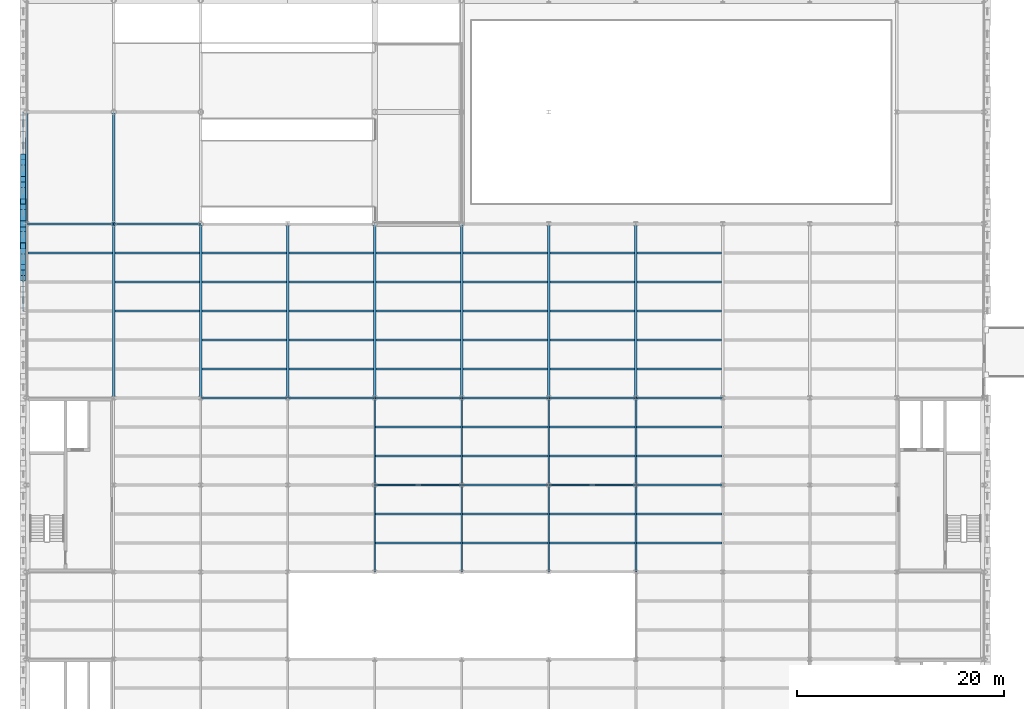
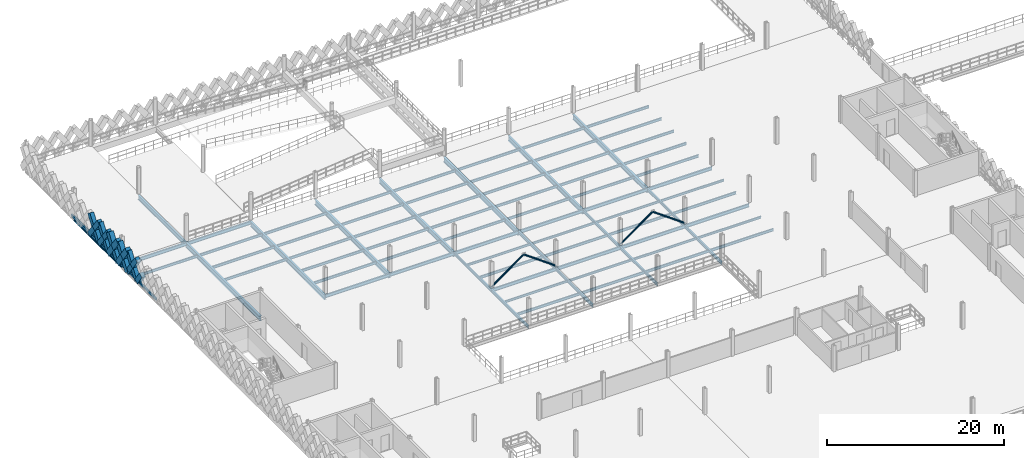
# One storey, part 36 of 101: 79 beams, 22 members.
"""IFC4 building model written with IfcOpenShell, lengths in metres."""

from ifc_helpers import new_model, si_unit, direction, frame, origin, origin_2d, place, context, subcontext, project, spatial, rectangle, hollow_rectangle, hollow_circle, i_section, extrude, material, material_profile, profile_set, type_object, element, save


model = new_model("IFC4")

# Units and contexts
model_context = context("Model", 3, precision=1e-05, world=origin(), true_north=direction((0.0, 1.0)))
body_context = subcontext(model_context, "Body", "Model", "MODEL_VIEW")
ifc_project = project(units=[si_unit("LENGTHUNIT", "METRE"), si_unit("AREAUNIT", "SQUARE_METRE"), si_unit("VOLUMEUNIT", "CUBIC_METRE"), si_unit("PLANEANGLEUNIT", "RADIAN"), si_unit("MASSUNIT", "GRAM", prefix="KILO"), si_unit("THERMODYNAMICTEMPERATUREUNIT", "KELVIN"), si_unit("POWERUNIT", "WATT")], contexts=[model_context])

# Site, building, storey
site_placement = place(None, origin())
site = spatial("IfcSite", under=ifc_project, at=site_placement, CompositionType="ELEMENT")
building_placement = place(site_placement, origin())
building = spatial("IfcBuilding", under=site, at=building_placement, Name="Tembeka Court Mobility Hub", CompositionType="ELEMENT")
storey_placement = place(building_placement, frame((0.0, 0.0, 5.39990234375)))
storey = spatial("IfcBuildingStorey", under=building, at=storey_placement, Name="L01", CompositionType="ELEMENT", Elevation=5.39990234375)

# Beams
ifc_material_1 = material(Name="Steel S355", Category="steel")
ifc_material_profile_1 = material_profile(ifc_material_1, i_section(OverallWidth=0.18994140625, OverallDepth=0.45703125, WebThickness=0.009033203125, FlangeThickness=0.014404296875, FilletRadius=0.01025390625, at=origin_2d()), Name="UKB 457x191x74")
ifc_profile_set_1 = profile_set([ifc_material_profile_1], Name="Steel S355")
beam_type_1 = type_object("IfcBeamType", Name="BM-B01", PredefinedType="BEAM", material=ifc_profile_set_1)
for number, where, z_axis, x_axis, name in (
    (1, (33.60009765625, 72.0, -0.448486328125), (1.0, 0.0, 0.0), (0.0, 1.0, 0.0), "Beam B01 (BM-L01-X0708)"),
    (2, (42.0, 72.0, -0.448486328125), (1.0, 0.0, 0.0), (0.0, 1.0, 0.0), "Beam B01 (BM-L01-X0709)"),
):
    element("IfcBeam", number, at=place(storey_placement, frame(where, z_axis=z_axis, x_axis=x_axis)), inside=storey, type_object=beam_type_1, Name=name, PredefinedType="BEAM", context=body_context, shape_type="SweptSolid", body=[
        extrude(i_section(OverallWidth=0.18994140625, OverallDepth=0.45703125, WebThickness=0.009033203125, FlangeThickness=0.014404296875, FilletRadius=0.01025390625, at=origin_2d()), origin(), (0.0, 0.0, 1.0), 8.39990234375),
    ])
beam_1_placement = place(storey_placement, frame((50.39990234375, 72.0, -0.448486328125), z_axis=(1.0, 0.0, 0.0), x_axis=(0.0, 1.0, 0.0)))
element("IfcBeam", 3, at=beam_1_placement, inside=storey, type_object=beam_type_1, Name="Beam B01 (BM-L01-X0710)", PredefinedType="BEAM", context=body_context, shape_type="SweptSolid", body=[
    extrude(i_section(OverallWidth=0.18994140625, OverallDepth=0.45703125, WebThickness=0.009033203125, FlangeThickness=0.014404296875, FilletRadius=0.01025390625, at=origin_2d()), origin(), (0.0, 0.0, 1.0), 8.400146484375),
])
for number, where, z_axis, x_axis, name in (
    (4, (58.800048828125, 72.0, -0.448486328125), (1.0, 0.0, 0.0), (0.0, 1.0, 0.0), "Beam B01 (BM-L01-X0711)"),
    (5, (16.800048828125, 80.39990234375, -0.448486328125), (1.0, 0.0, 0.0), (0.0, 1.0, 0.0), "Beam B01 (BM-L01-X0718)"),
):
    element("IfcBeam", number, at=place(storey_placement, frame(where, z_axis=z_axis, x_axis=x_axis)), inside=storey, type_object=beam_type_1, Name=name, PredefinedType="BEAM", context=body_context, shape_type="SweptSolid", body=[
        extrude(i_section(OverallWidth=0.18994140625, OverallDepth=0.45703125, WebThickness=0.009033203125, FlangeThickness=0.014404296875, FilletRadius=0.01025390625, at=origin_2d()), origin(), (0.0, 0.0, 1.0), 8.39990234375),
    ])
beam_2_placement = place(storey_placement, frame((25.199951171875, 80.39990234375, -0.448486328125), z_axis=(1.0, 0.0, 0.0), x_axis=(0.0, 1.0, 0.0)))
element("IfcBeam", 6, at=beam_2_placement, inside=storey, type_object=beam_type_1, Name="Beam B01 (BM-L01-X0719)", PredefinedType="BEAM", context=body_context, shape_type="SweptSolid", body=[
    extrude(i_section(OverallWidth=0.18994140625, OverallDepth=0.45703125, WebThickness=0.009033203125, FlangeThickness=0.014404296875, FilletRadius=0.01025390625, at=origin_2d()), origin(), (0.0, 0.0, 1.0), 8.400146484375),
])
for number, where, z_axis, x_axis, name in (
    (7, (33.60009765625, 80.39990234375, -0.448486328125), (1.0, 0.0, 0.0), (0.0, 1.0, 0.0), "Beam B01 (BM-L01-X0720)"),
    (8, (42.0, 80.39990234375, -0.448486328125), (1.0, 0.0, 0.0), (0.0, 1.0, 0.0), "Beam B01 (BM-L01-X0721)"),
):
    element("IfcBeam", number, at=place(storey_placement, frame(where, z_axis=z_axis, x_axis=x_axis)), inside=storey, type_object=beam_type_1, Name=name, PredefinedType="BEAM", context=body_context, shape_type="SweptSolid", body=[
        extrude(i_section(OverallWidth=0.18994140625, OverallDepth=0.45703125, WebThickness=0.009033203125, FlangeThickness=0.014404296875, FilletRadius=0.01025390625, at=origin_2d()), origin(), (0.0, 0.0, 1.0), 8.39990234375),
    ])
beam_3_placement = place(storey_placement, frame((50.39990234375, 80.39990234375, -0.448486328125), z_axis=(1.0, 0.0, 0.0), x_axis=(0.0, 1.0, 0.0)))
element("IfcBeam", 9, at=beam_3_placement, inside=storey, type_object=beam_type_1, Name="Beam B01 (BM-L01-X0722)", PredefinedType="BEAM", context=body_context, shape_type="SweptSolid", body=[
    extrude(i_section(OverallWidth=0.18994140625, OverallDepth=0.45703125, WebThickness=0.009033203125, FlangeThickness=0.014404296875, FilletRadius=0.01025390625, at=origin_2d()), origin(), (0.0, 0.0, 1.0), 8.400146484375),
])
for number, where, z_axis, x_axis, name in (
    (10, (58.800048828125, 80.39990234375, -0.448486328125), (1.0, 0.0, 0.0), (0.0, 1.0, 0.0), "Beam B01 (BM-L01-X0723)"),
    (11, (0.0, 97.199951171875, -0.478515625), (1.0, 0.0, 0.0), (0.0, 1.0, 0.0), "Beam B01 (BM-L01-X0735)"),
):
    element("IfcBeam", number, at=place(storey_placement, frame(where, z_axis=z_axis, x_axis=x_axis)), inside=storey, type_object=beam_type_1, Name=name, PredefinedType="BEAM", context=body_context, shape_type="SweptSolid", body=[
        extrude(i_section(OverallWidth=0.18994140625, OverallDepth=0.45703125, WebThickness=0.009033203125, FlangeThickness=0.014404296875, FilletRadius=0.01025390625, at=origin_2d()), origin(), (0.0, 0.0, 1.0), 8.39990234375),
    ])
beam_4_placement = place(storey_placement, frame((8.39990234375, 97.199951171875, -0.478515625), z_axis=(1.0, 0.0, 0.0), x_axis=(0.0, 1.0, 0.0)))
element("IfcBeam", 12, at=beam_4_placement, inside=storey, type_object=beam_type_1, Name="Beam B01 (BM-L01-X0736)", PredefinedType="BEAM", context=body_context, shape_type="SweptSolid", body=[
    extrude(i_section(OverallWidth=0.18994140625, OverallDepth=0.45703125, WebThickness=0.009033203125, FlangeThickness=0.014404296875, FilletRadius=0.01025390625, at=origin_2d()), origin(), (0.0, 0.0, 1.0), 8.400146484375),
])
ifc_material_profile_2 = material_profile(ifc_material_1, i_section(OverallWidth=0.177978515625, OverallDepth=0.406005859375, WebThickness=0.0078125, FlangeThickness=0.0126953125, FilletRadius=0.01025390625, at=origin_2d()), Name="UKB 406x178x60")
ifc_profile_set_2 = profile_set([ifc_material_profile_2], Name="Steel S355")
beam_type_2 = type_object("IfcBeamType", Name="BM-B02", PredefinedType="BEAM", material=ifc_profile_set_2)
for number, where, z_axis, x_axis, name in (
    (13, (33.60009765625, 63.60009765625, -0.4228515625), (0.0, 1.0, 0.0), (-1.0, 0.0, 0.0), "Beam B02 (BM-L01-Y0804)"),
    (14, (33.60009765625, 72.0, -0.4228515625), (0.0, 1.0, 0.0), (-1.0, 0.0, 0.0), "Beam B02 (BM-L01-Y0805)"),
    (15, (42.0, 63.60009765625, -0.4228515625), (0.0, 1.0, 0.0), (-1.0, 0.0, 0.0), "Beam B02 (BM-L01-Y0812)"),
    (16, (42.0, 72.0, -0.4228515625), (0.0, 1.0, 0.0), (-1.0, 0.0, 0.0), "Beam B02 (BM-L01-Y0813)"),
    (17, (50.39990234375, 63.60009765625, -0.4228515625), (0.0, 1.0, 0.0), (-1.0, 0.0, 0.0), "Beam B02 (BM-L01-Y0820)"),
    (18, (50.39990234375, 72.0, -0.4228515625), (0.0, 1.0, 0.0), (-1.0, 0.0, 0.0), "Beam B02 (BM-L01-Y0821)"),
    (19, (58.800048828125, 63.60009765625, -0.4228515625), (0.0, 1.0, 0.0), (-1.0, 0.0, 0.0), "Beam B02 (BM-L01-Y0827)"),
    (20, (58.800048828125, 72.0, -0.4228515625), (0.0, 1.0, 0.0), (-1.0, 0.0, 0.0), "Beam B02 (BM-L01-Y0828)"),
):
    element("IfcBeam", number, at=place(storey_placement, frame(where, z_axis=z_axis, x_axis=x_axis)), inside=storey, type_object=beam_type_2, Name=name, PredefinedType="BEAM", context=body_context, shape_type="SweptSolid", body=[
        extrude(i_section(OverallWidth=0.177978515625, OverallDepth=0.406005859375, WebThickness=0.0078125, FlangeThickness=0.0126953125, FilletRadius=0.01025390625, at=origin_2d()), origin(), (0.0, 0.0, 1.0), 8.39990234375),
    ])
ifc_material_profile_3 = material_profile(ifc_material_1, i_section(OverallWidth=0.25390625, OverallDepth=0.68408203125, WebThickness=0.012451171875, FlangeThickness=0.01904296875, FilletRadius=0.01513671875, at=origin_2d()), Name="UKB 686x254x140")
ifc_profile_set_3 = profile_set([ifc_material_profile_3], Name="Steel S355")
beam_type_3 = type_object("IfcBeamType", Name="BM-G01", PredefinedType="USERDEFINED", material=ifc_profile_set_3)
for number, where, z_axis, x_axis, name in (
    (21, (8.39990234375, 80.39990234375, -0.591796875), (0.0, 1.0, 0.0), (-1.0, 0.0, 0.0), "Beam G01 (BM-L01-Y0780)"),
    (22, (16.800048828125, 80.39990234375, -0.591796875), (0.0, 1.0, 0.0), (-1.0, 0.0, 0.0), "Beam G01 (BM-L01-Y0791)"),
    (23, (25.199951171875, 80.39990234375, -0.56201171875), (0.0, 1.0, 0.0), (-1.0, 0.0, 0.0), "Beam G01 (BM-L01-Y0800)"),
    (24, (33.60009765625, 80.39990234375, -0.56201171875), (0.0, 1.0, 0.0), (-1.0, 0.0, 0.0), "Beam G01 (BM-L01-Y0806)"),
    (25, (42.0, 80.39990234375, -0.56201171875), (0.0, 1.0, 0.0), (-1.0, 0.0, 0.0), "Beam G01 (BM-L01-Y0814)"),
    (26, (50.39990234375, 80.39990234375, -0.56201171875), (0.0, 1.0, 0.0), (-1.0, 0.0, 0.0), "Beam G01 (BM-L01-Y0822)"),
    (27, (58.800048828125, 80.39990234375, -0.56201171875), (0.0, 1.0, 0.0), (-1.0, 0.0, 0.0), "Beam G01 (BM-L01-Y0829)"),
):
    element("IfcBeam", number, at=place(storey_placement, frame(where, z_axis=z_axis, x_axis=x_axis)), inside=storey, type_object=beam_type_3, Name=name, ObjectType="GIRDER", PredefinedType="USERDEFINED", context=body_context, shape_type="SweptSolid", body=[
        extrude(i_section(OverallWidth=0.25390625, OverallDepth=0.68408203125, WebThickness=0.012451171875, FlangeThickness=0.01904296875, FilletRadius=0.01513671875, at=origin_2d()), origin(), (0.0, 0.0, 1.0), 16.800048828125),
    ])
ifc_material_profile_4 = material_profile(ifc_material_1, i_section(OverallWidth=0.22900390625, OverallDepth=0.612060546875, WebThickness=0.011962890625, FlangeThickness=0.01953125, FilletRadius=0.0126953125, at=origin_2d()), Name="UKB 610x229x125")
ifc_profile_set_4 = profile_set([ifc_material_profile_4], Name="Steel S355")
beam_type_4 = type_object("IfcBeamType", Name="BM-G02", PredefinedType="USERDEFINED", material=ifc_profile_set_4)
for number, where, z_axis, x_axis, name in (
    (28, (0.0, 97.199951171875, -0.52587890625), (0.0, 1.0, 0.0), (-1.0, 0.0, 0.0), "Beam G02 (BM-L01-Y0770)"),
    (29, (8.39990234375, 97.199951171875, -0.555908203125), (0.0, 1.0, 0.0), (-1.0, 0.0, 0.0), "Beam G02 (BM-L01-Y0781)"),
):
    element("IfcBeam", number, at=place(storey_placement, frame(where, z_axis=z_axis, x_axis=x_axis)), inside=storey, type_object=beam_type_4, Name=name, ObjectType="GIRDER", PredefinedType="USERDEFINED", context=body_context, shape_type="SweptSolid", body=[
        extrude(i_section(OverallWidth=0.22900390625, OverallDepth=0.612060546875, WebThickness=0.011962890625, FlangeThickness=0.01953125, FilletRadius=0.0126953125, at=origin_2d()), origin(), (0.0, 0.0, 1.0), 10.800048828125),
    ])
ifc_material_profile_5 = material_profile(ifc_material_1, i_section(OverallWidth=0.172119140625, OverallDepth=0.35498046875, WebThickness=0.00732421875, FlangeThickness=0.011474609375, FilletRadius=0.01025390625, at=origin_2d()), Name="UKB 356x171x51")
ifc_profile_set_5 = profile_set([ifc_material_profile_5], Name="Steel S355")
beam_type_5 = type_object("IfcBeamType", Name="BM-J01", PredefinedType="JOIST", material=ifc_profile_set_5)
for number, where, z_axis, x_axis, name in (
    (30, (0.1220703125, 94.39990234375, -0.3974609375), (1.0, 0.0, 0.0), (0.0, 1.0, 0.0), "Beam J01 (JST-L01-0922)"),
    (31, (8.52197265625, 88.800048828125, -0.3974609375), (1.0, 0.0, 0.0), (0.0, 1.0, 0.0), "Beam J01 (JST-L01-0940)"),
    (32, (8.52197265625, 91.60009765625, -0.3974609375), (1.0, 0.0, 0.0), (0.0, 1.0, 0.0), "Beam J01 (JST-L01-0941)"),
    (33, (8.52197265625, 94.39990234375, -0.3974609375), (1.0, 0.0, 0.0), (0.0, 1.0, 0.0), "Beam J01 (JST-L01-0942)"),
):
    element("IfcBeam", number, at=place(storey_placement, frame(where, z_axis=z_axis, x_axis=x_axis)), inside=storey, type_object=beam_type_5, Name=name, PredefinedType="JOIST", context=body_context, shape_type="SweptSolid", body=[
        extrude(i_section(OverallWidth=0.172119140625, OverallDepth=0.35498046875, WebThickness=0.00732421875, FlangeThickness=0.011474609375, FilletRadius=0.01025390625, at=origin_2d()), origin(), (0.0, 0.0, 1.0), 8.156005859375),
    ])
for number, where, z_axis, x_axis, name in (
    (34, (16.922119140625, 83.199951171875, -0.3974609375), (1.0, 0.0, 0.0), (0.0, 1.0, 0.0), "Beam J01 (JST-L01-0958)"),
    (35, (16.922119140625, 86.0, -0.3974609375), (1.0, 0.0, 0.0), (0.0, 1.0, 0.0), "Beam J01 (JST-L01-0959)"),
    (36, (16.922119140625, 88.800048828125, -0.3974609375), (1.0, 0.0, 0.0), (0.0, 1.0, 0.0), "Beam J01 (JST-L01-0960)"),
    (37, (16.922119140625, 91.60009765625, -0.3974609375), (1.0, 0.0, 0.0), (0.0, 1.0, 0.0), "Beam J01 (JST-L01-0961)"),
    (38, (16.922119140625, 94.39990234375, -0.3974609375), (1.0, 0.0, 0.0), (0.0, 1.0, 0.0), "Beam J01 (JST-L01-0962)"),
):
    element("IfcBeam", number, at=place(storey_placement, frame(where, z_axis=z_axis, x_axis=x_axis)), inside=storey, type_object=beam_type_5, Name=name, PredefinedType="JOIST", context=body_context, shape_type="SweptSolid", body=[
        extrude(i_section(OverallWidth=0.172119140625, OverallDepth=0.35498046875, WebThickness=0.00732421875, FlangeThickness=0.011474609375, FilletRadius=0.01025390625, at=origin_2d()), origin(), (0.0, 0.0, 1.0), 8.15576171875),
    ])
for number, where, z_axis, x_axis, name in (
    (39, (25.322021484375, 83.199951171875, -0.3974609375), (1.0, 0.0, 0.0), (0.0, 1.0, 0.0), "Beam J01 (JST-L01-0976)"),
    (40, (25.322021484375, 86.0, -0.3974609375), (1.0, 0.0, 0.0), (0.0, 1.0, 0.0), "Beam J01 (JST-L01-0977)"),
    (41, (25.322021484375, 88.800048828125, -0.3974609375), (1.0, 0.0, 0.0), (0.0, 1.0, 0.0), "Beam J01 (JST-L01-0978)"),
    (42, (25.322021484375, 91.60009765625, -0.3974609375), (1.0, 0.0, 0.0), (0.0, 1.0, 0.0), "Beam J01 (JST-L01-0979)"),
    (43, (25.322021484375, 94.39990234375, -0.3974609375), (1.0, 0.0, 0.0), (0.0, 1.0, 0.0), "Beam J01 (JST-L01-0980)"),
    (44, (33.721923828125, 83.199951171875, -0.3974609375), (1.0, 0.0, 0.0), (0.0, 1.0, 0.0), "Beam J01 (JST-L01-0994)"),
    (45, (33.721923828125, 86.0, -0.3974609375), (1.0, 0.0, 0.0), (0.0, 1.0, 0.0), "Beam J01 (JST-L01-0995)"),
    (46, (33.721923828125, 88.800048828125, -0.3974609375), (1.0, 0.0, 0.0), (0.0, 1.0, 0.0), "Beam J01 (JST-L01-0996)"),
    (47, (33.721923828125, 91.60009765625, -0.3974609375), (1.0, 0.0, 0.0), (0.0, 1.0, 0.0), "Beam J01 (JST-L01-0997)"),
    (48, (33.721923828125, 94.39990234375, -0.3974609375), (1.0, 0.0, 0.0), (0.0, 1.0, 0.0), "Beam J01 (JST-L01-0998)"),
    (49, (42.1220703125, 83.199951171875, -0.3974609375), (1.0, 0.0, 0.0), (0.0, 1.0, 0.0), "Beam J01 (JST-L01-1012)"),
    (50, (42.1220703125, 86.0, -0.3974609375), (1.0, 0.0, 0.0), (0.0, 1.0, 0.0), "Beam J01 (JST-L01-1013)"),
    (51, (42.1220703125, 88.800048828125, -0.3974609375), (1.0, 0.0, 0.0), (0.0, 1.0, 0.0), "Beam J01 (JST-L01-1014)"),
    (52, (42.1220703125, 91.60009765625, -0.3974609375), (1.0, 0.0, 0.0), (0.0, 1.0, 0.0), "Beam J01 (JST-L01-1015)"),
    (53, (42.1220703125, 94.39990234375, -0.3974609375), (1.0, 0.0, 0.0), (0.0, 1.0, 0.0), "Beam J01 (JST-L01-1016)"),
    (54, (50.52197265625, 83.199951171875, -0.3974609375), (1.0, 0.0, 0.0), (0.0, 1.0, 0.0), "Beam J01 (JST-L01-1030)"),
    (55, (50.52197265625, 86.0, -0.3974609375), (1.0, 0.0, 0.0), (0.0, 1.0, 0.0), "Beam J01 (JST-L01-1031)"),
    (56, (50.52197265625, 88.800048828125, -0.3974609375), (1.0, 0.0, 0.0), (0.0, 1.0, 0.0), "Beam J01 (JST-L01-1032)"),
    (57, (50.52197265625, 91.60009765625, -0.3974609375), (1.0, 0.0, 0.0), (0.0, 1.0, 0.0), "Beam J01 (JST-L01-1033)"),
    (58, (50.52197265625, 94.39990234375, -0.3974609375), (1.0, 0.0, 0.0), (0.0, 1.0, 0.0), "Beam J01 (JST-L01-1034)"),
):
    element("IfcBeam", number, at=place(storey_placement, frame(where, z_axis=z_axis, x_axis=x_axis)), inside=storey, type_object=beam_type_5, Name=name, PredefinedType="JOIST", context=body_context, shape_type="SweptSolid", body=[
        extrude(i_section(OverallWidth=0.172119140625, OverallDepth=0.35498046875, WebThickness=0.00732421875, FlangeThickness=0.011474609375, FilletRadius=0.01025390625, at=origin_2d()), origin(), (0.0, 0.0, 1.0), 8.156005859375),
    ])
for number, where, z_axis, x_axis, name in (
    (59, (58.922119140625, 83.199951171875, -0.3974609375), (1.0, 0.0, 0.0), (0.0, 1.0, 0.0), "Beam J01 (JST-L01-1050)"),
    (60, (58.922119140625, 86.0, -0.3974609375), (1.0, 0.0, 0.0), (0.0, 1.0, 0.0), "Beam J01 (JST-L01-1051)"),
    (61, (58.922119140625, 88.800048828125, -0.3974609375), (1.0, 0.0, 0.0), (0.0, 1.0, 0.0), "Beam J01 (JST-L01-1052)"),
    (62, (58.922119140625, 91.60009765625, -0.3974609375), (1.0, 0.0, 0.0), (0.0, 1.0, 0.0), "Beam J01 (JST-L01-1053)"),
    (63, (58.922119140625, 94.39990234375, -0.3974609375), (1.0, 0.0, 0.0), (0.0, 1.0, 0.0), "Beam J01 (JST-L01-1054)"),
):
    element("IfcBeam", number, at=place(storey_placement, frame(where, z_axis=z_axis, x_axis=x_axis)), inside=storey, type_object=beam_type_5, Name=name, PredefinedType="JOIST", context=body_context, shape_type="SweptSolid", body=[
        extrude(i_section(OverallWidth=0.172119140625, OverallDepth=0.35498046875, WebThickness=0.00732421875, FlangeThickness=0.011474609375, FilletRadius=0.01025390625, at=origin_2d()), origin(), (0.0, 0.0, 1.0), 8.15576171875),
    ])
ifc_material_profile_6 = material_profile(ifc_material_1, i_section(OverallWidth=0.1650390625, OverallDepth=0.303955078125, WebThickness=0.006103515625, FlangeThickness=0.01025390625, FilletRadius=0.0087890625, at=origin_2d()), Name="UKB 305x165x40")
ifc_profile_set_6 = profile_set([ifc_material_profile_6], Name="Steel S355")
beam_type_6 = type_object("IfcBeamType", Name="BM-J02", PredefinedType="JOIST", material=ifc_profile_set_6)
for number, where, z_axis, x_axis, name in (
    (64, (33.68408203125, 69.199951171875, -0.371826171875), (1.0, 0.0, 0.0), (0.0, 1.0, 0.0), "Beam J02 (JST-L01-0991)"),
    (65, (33.68408203125, 77.60009765625, -0.371826171875), (1.0, 0.0, 0.0), (0.0, 1.0, 0.0), "Beam J02 (JST-L01-0993)"),
    (66, (42.083984375, 69.199951171875, -0.371826171875), (1.0, 0.0, 0.0), (0.0, 1.0, 0.0), "Beam J02 (JST-L01-1009)"),
    (67, (42.083984375, 77.60009765625, -0.371826171875), (1.0, 0.0, 0.0), (0.0, 1.0, 0.0), "Beam J02 (JST-L01-1011)"),
):
    element("IfcBeam", number, at=place(storey_placement, frame(where, z_axis=z_axis, x_axis=x_axis)), inside=storey, type_object=beam_type_6, Name=name, PredefinedType="JOIST", context=body_context, shape_type="SweptSolid", body=[
        extrude(i_section(OverallWidth=0.1650390625, OverallDepth=0.303955078125, WebThickness=0.006103515625, FlangeThickness=0.01025390625, FilletRadius=0.0087890625, at=origin_2d()), origin(), (0.0, 0.0, 1.0), 8.23193359375),
    ])
for number, where, z_axis, x_axis, name in (
    (68, (50.48388671875, 69.199951171875, -0.371826171875), (1.0, 0.0, 0.0), (0.0, 1.0, 0.0), "Beam J02 (JST-L01-1027)"),
    (69, (50.48388671875, 77.60009765625, -0.371826171875), (1.0, 0.0, 0.0), (0.0, 1.0, 0.0), "Beam J02 (JST-L01-1029)"),
):
    element("IfcBeam", number, at=place(storey_placement, frame(where, z_axis=z_axis, x_axis=x_axis)), inside=storey, type_object=beam_type_6, Name=name, PredefinedType="JOIST", context=body_context, shape_type="SweptSolid", body=[
        extrude(i_section(OverallWidth=0.1650390625, OverallDepth=0.303955078125, WebThickness=0.006103515625, FlangeThickness=0.01025390625, FilletRadius=0.0087890625, at=origin_2d()), origin(), (0.0, 0.0, 1.0), 8.232177734375),
    ])
for number, where, z_axis, x_axis, name in (
    (70, (58.884033203125, 69.199951171875, -0.371826171875), (1.0, 0.0, 0.0), (0.0, 1.0, 0.0), "Beam J02 (JST-L01-1047)"),
    (71, (58.884033203125, 77.60009765625, -0.371826171875), (1.0, 0.0, 0.0), (0.0, 1.0, 0.0), "Beam J02 (JST-L01-1049)"),
):
    element("IfcBeam", number, at=place(storey_placement, frame(where, z_axis=z_axis, x_axis=x_axis)), inside=storey, type_object=beam_type_6, Name=name, PredefinedType="JOIST", context=body_context, shape_type="SweptSolid", body=[
        extrude(i_section(OverallWidth=0.1650390625, OverallDepth=0.303955078125, WebThickness=0.006103515625, FlangeThickness=0.01025390625, FilletRadius=0.0087890625, at=origin_2d()), origin(), (0.0, 0.0, 1.0), 8.23193359375),
    ])
ifc_material_profile_7 = material_profile(ifc_material_1, i_section(OverallWidth=0.169921875, OverallDepth=0.360107421875, WebThickness=0.008056640625, FlangeThickness=0.0126953125, FilletRadius=0.01806640625, at=origin_2d()), Name="IPE 360")
ifc_profile_set_7 = profile_set([ifc_material_profile_7], Name="Steel S355")
beam_type_7 = type_object("IfcBeamType", Name="BM-J03", PredefinedType="JOIST", material=ifc_profile_set_7)
for number, where, z_axis, x_axis, name in (
    (72, (33.68408203125, 66.39990234375, -0.39990234375), (1.0, 0.0, 0.0), (0.0, 1.0, 0.0), "Beam J03 (JST-L01-0990)"),
    (73, (33.68408203125, 74.800048828125, -0.39990234375), (1.0, 0.0, 0.0), (0.0, 1.0, 0.0), "Beam J03 (JST-L01-0992)"),
    (74, (42.083984375, 66.39990234375, -0.39990234375), (1.0, 0.0, 0.0), (0.0, 1.0, 0.0), "Beam J03 (JST-L01-1008)"),
    (75, (42.083984375, 74.800048828125, -0.39990234375), (1.0, 0.0, 0.0), (0.0, 1.0, 0.0), "Beam J03 (JST-L01-1010)"),
):
    element("IfcBeam", number, at=place(storey_placement, frame(where, z_axis=z_axis, x_axis=x_axis)), inside=storey, type_object=beam_type_7, Name=name, PredefinedType="JOIST", context=body_context, shape_type="SweptSolid", body=[
        extrude(i_section(OverallWidth=0.169921875, OverallDepth=0.360107421875, WebThickness=0.008056640625, FlangeThickness=0.0126953125, FilletRadius=0.01806640625, at=origin_2d()), origin(), (0.0, 0.0, 1.0), 8.23193359375),
    ])
for number, where, z_axis, x_axis, name in (
    (76, (50.48388671875, 66.39990234375, -0.39990234375), (1.0, 0.0, 0.0), (0.0, 1.0, 0.0), "Beam J03 (JST-L01-1026)"),
    (77, (50.48388671875, 74.800048828125, -0.39990234375), (1.0, 0.0, 0.0), (0.0, 1.0, 0.0), "Beam J03 (JST-L01-1028)"),
):
    element("IfcBeam", number, at=place(storey_placement, frame(where, z_axis=z_axis, x_axis=x_axis)), inside=storey, type_object=beam_type_7, Name=name, PredefinedType="JOIST", context=body_context, shape_type="SweptSolid", body=[
        extrude(i_section(OverallWidth=0.169921875, OverallDepth=0.360107421875, WebThickness=0.008056640625, FlangeThickness=0.0126953125, FilletRadius=0.01806640625, at=origin_2d()), origin(), (0.0, 0.0, 1.0), 8.232177734375),
    ])
for number, where, z_axis, x_axis, name in (
    (78, (58.884033203125, 66.39990234375, -0.39990234375), (1.0, 0.0, 0.0), (0.0, 1.0, 0.0), "Beam J03 (JST-L01-1046)"),
    (79, (58.884033203125, 74.800048828125, -0.39990234375), (1.0, 0.0, 0.0), (0.0, 1.0, 0.0), "Beam J03 (JST-L01-1048)"),
):
    element("IfcBeam", number, at=place(storey_placement, frame(where, z_axis=z_axis, x_axis=x_axis)), inside=storey, type_object=beam_type_7, Name=name, PredefinedType="JOIST", context=body_context, shape_type="SweptSolid", body=[
        extrude(i_section(OverallWidth=0.169921875, OverallDepth=0.360107421875, WebThickness=0.008056640625, FlangeThickness=0.0126953125, FilletRadius=0.01806640625, at=origin_2d()), origin(), (0.0, 0.0, 1.0), 8.23193359375),
    ])

# Members
ifc_material_profile_8 = material_profile(ifc_material_1, hollow_circle(Radius=0.109619140625, WallThickness=0.010009765625, at=origin_2d()), Name="CHS 219.1x10")
ifc_profile_set_8 = profile_set([ifc_material_profile_8], Name="Steel S355")
member_type_1 = type_object("IfcMemberType", Name="MEM-BR01", PredefinedType="BRACE", material=ifc_profile_set_8)
for number, where, z_axis, x_axis, name in (
    (80, (33.60009765625, 72.0, 0.02001953125), (0.81097870636, 0.0, 0.585075668466), (0.0, 1.0, 0.0), "Steel chevron brace BR01 (L01-2A)"),
    (81, (42.0, 72.0, 0.02001953125), (-0.81097870636, 0.0, 0.585075668466), (0.0, -1.0, 0.0), "Steel chevron brace BR01 (L01-2B)"),
    (82, (50.39990234375, 72.0, 0.02001953125), (0.810994842677, 0.0, 0.58505330112), (0.0, 1.0, 0.0), "Steel chevron brace BR01 (L01-8A)"),
    (83, (58.800048828125, 72.0, 0.02001953125), (-0.81097870636, 0.0, 0.585075668466), (0.0, -1.0, 0.0), "Steel chevron brace BR01 (L01-8B)"),
):
    element("IfcMember", number, at=place(storey_placement, frame(where, z_axis=z_axis, x_axis=x_axis)), inside=storey, type_object=member_type_1, Name=name, PredefinedType="BRACE", context=body_context, shape_type="SweptSolid", body=[
        extrude(hollow_circle(Radius=0.109619140625, WallThickness=0.010009765625, at=origin_2d()), origin(), (0.0, 0.0, 1.0), 5.178955078125),
    ])
ifc_material_2 = material(Name="Precast concrete C45/55", Category="concrete")
ifc_material_profile_9 = material_profile(ifc_material_2, rectangle(XDim=0.5, YDim=0.64990234375, at=origin_2d()), Name="PC-DIAG 500x650")
ifc_profile_set_9 = profile_set([ifc_material_profile_9], Name="Precast concrete C45/55")
member_type_2 = type_object("IfcMemberType", Name="MEM-DL01", PredefinedType="BRACE", material=ifc_profile_set_9)
member_1_placement = place(storey_placement, frame((-0.340087890625, 93.0, 0.02001953125), z_axis=(0.0, -0.582544294934, 0.812798956963), x_axis=(1.0, 0.0, 0.0)))
element("IfcMember", 84, at=member_1_placement, inside=storey, type_object=member_type_2, Name="Precast diamond lattice split lower strand DL01 (L01-132D1)", PredefinedType="BRACE", context=body_context, shape_type="SweptSolid", body=[
    extrude(rectangle(XDim=0.5, YDim=0.64990234375, at=origin_2d()), origin(), (0.0, 0.0, 1.0), 1.802490234375),
])
member_2_placement = place(storey_placement, frame((-0.340087890625, 93.0, 0.02001953125), z_axis=(0.0, 0.582544294934, 0.812798956963), x_axis=(-1.0, 0.0, 0.0)))
element("IfcMember", 85, at=member_2_placement, inside=storey, type_object=member_type_2, Name="Precast diamond lattice continuous strand DL01 (L01-133C)", PredefinedType="BRACE", context=body_context, shape_type="SweptSolid", body=[
    extrude(rectangle(XDim=0.5, YDim=0.64990234375, at=origin_2d()), origin(), (0.0, 0.0, 1.0), 3.60498046875),
])
for number, where, z_axis, x_axis, name in (
    (86, (-0.340087890625, 95.10009765625, 0.02001953125), (0.0, -0.582544294934, 0.812798956963), (1.0, 0.0, 0.0), "Precast diamond lattice split lower strand DL01 (L01-133D1)"),
    (87, (-0.340087890625, 94.050048828125, 1.485107421875), (0.0, -0.582544294934, 0.812798956963), (1.0, 0.0, 0.0), "Precast diamond lattice split upper strand DL01 (L01-133D2)"),
):
    element("IfcMember", number, at=place(storey_placement, frame(where, z_axis=z_axis, x_axis=x_axis)), inside=storey, type_object=member_type_2, Name=name, PredefinedType="BRACE", context=body_context, shape_type="SweptSolid", body=[
        extrude(rectangle(XDim=0.5, YDim=0.64990234375, at=origin_2d()), origin(), (0.0, 0.0, 1.0), 1.802490234375),
    ])
member_3_placement = place(storey_placement, frame((-0.340087890625, 99.360107421875, 0.02001953125), z_axis=(0.0, 0.593347732742, 0.804946251653), x_axis=(-1.0, 0.0, 0.0)))
element("IfcMember", 88, at=member_3_placement, inside=storey, type_object=member_type_2, Name="Precast diamond lattice continuous strand DL01 (L01-136C)", PredefinedType="BRACE", context=body_context, shape_type="SweptSolid", body=[
    extrude(rectangle(XDim=0.5, YDim=0.64990234375, at=origin_2d()), origin(), (0.0, 0.0, 1.0), 3.64013671875),
])
for number, where, z_axis, x_axis, name in (
    (89, (-0.340087890625, 101.52001953125, 0.02001953125), (0.0, -0.593391185876, 0.804914219358), (1.0, 0.0, 0.0), "Precast diamond lattice split lower strand DL01 (L01-136D1)"),
    (90, (-0.340087890625, 100.43994140625, 1.485107421875), (0.0, -0.593304274421, 0.804978284151), (1.0, 0.0, 0.0), "Precast diamond lattice split upper strand DL01 (L01-136D2)"),
):
    element("IfcMember", number, at=place(storey_placement, frame(where, z_axis=z_axis, x_axis=x_axis)), inside=storey, type_object=member_type_2, Name=name, PredefinedType="BRACE", context=body_context, shape_type="SweptSolid", body=[
        extrude(rectangle(XDim=0.5, YDim=0.64990234375, at=origin_2d()), origin(), (0.0, 0.0, 1.0), 1.820068359375),
    ])
member_4_placement = place(storey_placement, frame((-0.340087890625, 101.52001953125, 0.02001953125), z_axis=(0.0, 0.593347732742, 0.804946251653), x_axis=(-1.0, 0.0, 0.0)))
element("IfcMember", 91, at=member_4_placement, inside=storey, type_object=member_type_2, Name="Precast diamond lattice continuous strand DL01 (L01-137C)", PredefinedType="BRACE", context=body_context, shape_type="SweptSolid", body=[
    extrude(rectangle(XDim=0.5, YDim=0.64990234375, at=origin_2d()), origin(), (0.0, 0.0, 1.0), 3.64013671875),
])
for number, where, z_axis, x_axis, name in (
    (92, (-0.340087890625, 103.679931640625, 0.02001953125), (0.0, -0.593304274421, 0.804978284151), (1.0, 0.0, 0.0), "Precast diamond lattice split lower strand DL01 (L01-137D1)"),
    (93, (-0.340087890625, 102.60009765625, 1.485107421875), (0.0, -0.593391185876, 0.804914219358), (1.0, 0.0, 0.0), "Precast diamond lattice split upper strand DL01 (L01-137D2)"),
):
    element("IfcMember", number, at=place(storey_placement, frame(where, z_axis=z_axis, x_axis=x_axis)), inside=storey, type_object=member_type_2, Name=name, PredefinedType="BRACE", context=body_context, shape_type="SweptSolid", body=[
        extrude(rectangle(XDim=0.5, YDim=0.64990234375, at=origin_2d()), origin(), (0.0, 0.0, 1.0), 1.820068359375),
    ])
ifc_material_profile_10 = material_profile(ifc_material_2, rectangle(XDim=0.60009765625, YDim=0.75, at=origin_2d()), Name="PC-DIAG 600x750")
ifc_profile_set_10 = profile_set([ifc_material_profile_10], Name="Precast concrete C45/55")
member_type_3 = type_object("IfcMemberType", Name="MEM-DL02", PredefinedType="BRACE", material=ifc_profile_set_10)
member_5_placement = place(storey_placement, frame((-0.340087890625, 95.10009765625, 0.02001953125), z_axis=(0.0, 0.582499552306, 0.812831022762), x_axis=(-1.0, 0.0, 0.0)))
element("IfcMember", 94, at=member_5_placement, inside=storey, type_object=member_type_3, Name="Precast diamond lattice continuous strand DL02 (L01-134C)", PredefinedType="BRACE", context=body_context, shape_type="SweptSolid", body=[
    extrude(rectangle(XDim=0.60009765625, YDim=0.75, at=origin_2d()), origin(), (0.0, 0.0, 1.0), 3.60498046875),
])
for number, where, z_axis, x_axis, name in (
    (95, (-0.340087890625, 97.199951171875, 0.02001953125), (0.0, -0.582544294934, 0.812798956963), (1.0, 0.0, 0.0), "Precast diamond lattice split lower strand DL02 (L01-134D1)"),
    (96, (-0.340087890625, 96.14990234375, 1.485107421875), (0.0, -0.582454804382, 0.812863088627), (1.0, 0.0, 0.0), "Precast diamond lattice split upper strand DL02 (L01-134D2)"),
):
    element("IfcMember", number, at=place(storey_placement, frame(where, z_axis=z_axis, x_axis=x_axis)), inside=storey, type_object=member_type_3, Name=name, PredefinedType="BRACE", context=body_context, shape_type="SweptSolid", body=[
        extrude(rectangle(XDim=0.60009765625, YDim=0.75, at=origin_2d()), origin(), (0.0, 0.0, 1.0), 1.802490234375),
    ])
member_6_placement = place(storey_placement, frame((-0.340087890625, 97.199951171875, 0.02001953125), z_axis=(0.0, 0.593391185876, 0.804914219358), x_axis=(-1.0, 0.0, 0.0)))
element("IfcMember", 97, at=member_6_placement, inside=storey, type_object=member_type_3, Name="Precast diamond lattice continuous strand DL02 (L01-135C)", PredefinedType="BRACE", context=body_context, shape_type="SweptSolid", body=[
    extrude(rectangle(XDim=0.60009765625, YDim=0.75, at=origin_2d()), origin(), (0.0, 0.0, 1.0), 3.640380859375),
])
for number, where, z_axis, x_axis, name in (
    (98, (-0.340087890625, 99.360107421875, 0.02001953125), (0.0, -0.593391185876, 0.804914219358), (1.0, 0.0, 0.0), "Precast diamond lattice split lower strand DL02 (L01-135D1)"),
    (99, (-0.340087890625, 98.280029296875, 1.485107421875), (0.0, -0.593391185876, 0.804914219358), (1.0, 0.0, 0.0), "Precast diamond lattice split upper strand DL02 (L01-135D2)"),
):
    element("IfcMember", number, at=place(storey_placement, frame(where, z_axis=z_axis, x_axis=x_axis)), inside=storey, type_object=member_type_3, Name=name, PredefinedType="BRACE", context=body_context, shape_type="SweptSolid", body=[
        extrude(rectangle(XDim=0.60009765625, YDim=0.75, at=origin_2d()), origin(), (0.0, 0.0, 1.0), 1.820068359375),
    ])
ifc_material_profile_11 = material_profile(ifc_material_1, hollow_rectangle(XDim=0.14990234375, YDim=0.300048828125, WallThickness=0.010009765625, at=origin_2d()), Name="RHS 300x150x10")
ifc_profile_set_11 = profile_set([ifc_material_profile_11], Name="Steel S355")
member_type_4 = type_object("IfcMemberType", Name="MEM-ST03", PredefinedType="STRUT", material=ifc_profile_set_11)
member_7_placement = place(storey_placement, frame((-0.340087890625, 88.800048828125, 0.02001953125), z_axis=(0.0, 1.0, 0.0), x_axis=(-1.0, 0.0, 0.0)))
element("IfcMember", 100, at=member_7_placement, inside=storey, type_object=member_type_4, Name="Proud lattice sill tie chord SR03 (L01-W-88)", PredefinedType="STRUT", context=body_context, shape_type="SweptSolid", body=[
    extrude(hollow_rectangle(XDim=0.14990234375, YDim=0.300048828125, WallThickness=0.010009765625, at=origin_2d()), origin(), (0.0, 0.0, 1.0), 8.39990234375),
])
member_8_placement = place(storey_placement, frame((-0.340087890625, 97.199951171875, 0.02001953125), z_axis=(0.0, 1.0, 0.0), x_axis=(-1.0, 0.0, 0.0)))
element("IfcMember", 101, at=member_8_placement, inside=storey, type_object=member_type_4, Name="Proud lattice sill tie chord SR03 (L01-W-97)", PredefinedType="STRUT", context=body_context, shape_type="SweptSolid", body=[
    extrude(hollow_rectangle(XDim=0.14990234375, YDim=0.300048828125, WallThickness=0.010009765625, at=origin_2d()), origin(), (0.0, 0.0, 1.0), 10.800048828125),
])

save(model, "model.ifc")
